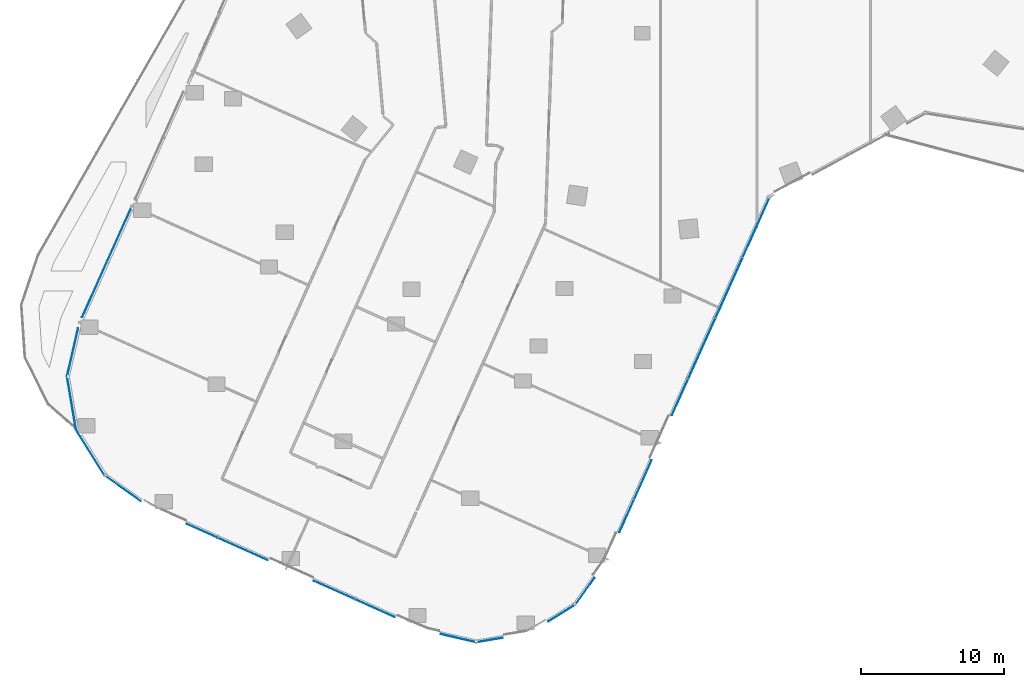
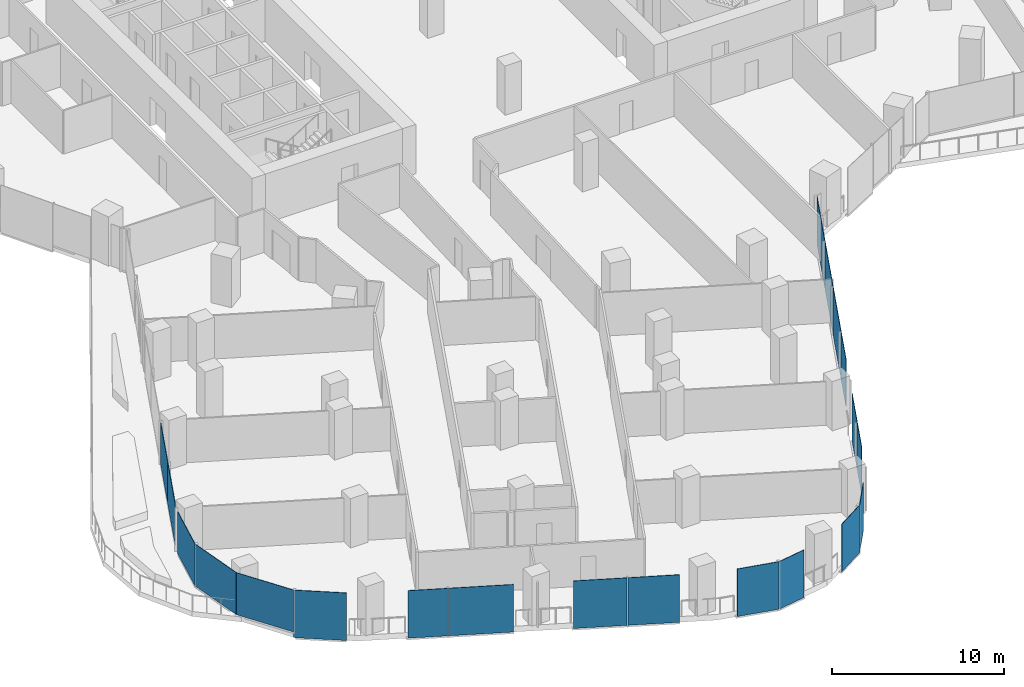
# One storey, part 15 of 32: 20 plates, 11 elements without a shape of their own.
"""IFC4 building model written with IfcOpenShell, lengths in metres."""

import ifcopenshell
import ifcopenshell.guid

model = None  # the IFC model being written
_history = None  # IfcOwnerHistory: only IFC2X3 demands one
_inside = {}  # id of a spatial element -> (the spatial element, [elements in it])
_under = {}  # id of a project, library or spatial element -> (it, [spatial elements below it])
_declared = {}  # id of a project -> (the project, [libraries it declares])
_typed = {}  # id of a type object -> (the type object, [elements of that type])
_made_of = {}  # id of a material, layer set ... -> (it, [elements and type objects made of it])


def new_model(schema):
    """Start an empty IFC model of exactly this schema.

    Asked for "IFC4X3", IfcOpenShell would pick the latest addendum, in which some entities
    have other attributes; the version numbers below select the first issue.
    IFC2X3 requires an IfcOwnerHistory on every rooted entity: one is made here for all.
    """
    global model, _history
    if schema == "IFC4X3":
        model = ifcopenshell.file(schema_version=(4, 3, 0, 0))
    else:
        model = ifcopenshell.file(schema=schema)
    _inside.clear()
    _under.clear()
    _declared.clear()
    _typed.clear()
    _made_of.clear()
    _history = None
    if model.schema == "IFC2X3":
        org = make("IfcOrganization", Name="unknown")
        user = make(
            "IfcPersonAndOrganization",
            ThePerson=make("IfcPerson", FamilyName="unknown"),
            TheOrganization=org,
        )
        app = make(
            "IfcApplication",
            ApplicationDeveloper=org,
            Version="unknown",
            ApplicationFullName="unknown",
            ApplicationIdentifier="unknown",
        )
        _history = make(
            "IfcOwnerHistory",
            OwningUser=user,
            OwningApplication=app,
            ChangeAction="ADDED",
            CreationDate=0,
        )
    return model


def make(cls, **values):
    """One entity of the class cls with the attributes given. An attribute that is None is left unset."""
    return model.create_entity(
        cls, **{name: value for name, value in values.items() if value is not None}
    )


def rooted(cls, **values):
    """An entity with a GlobalId (a new one), such as an element, a storey or a relation."""
    return make(cls, GlobalId=ifcopenshell.guid.new(), OwnerHistory=_history, **values)


def si_unit(unit_type, name, prefix=None):
    """IfcSIUnit, for example si_unit("LENGTHUNIT", "METRE", prefix="MILLI")."""
    return make("IfcSIUnit", UnitType=unit_type, Prefix=prefix, Name=name)


def assignment(units):
    """IfcUnitAssignment: the units of a project."""
    return None if units is None else make("IfcUnitAssignment", Units=units)


def point(xyz):
    """IfcCartesianPoint."""
    return None if xyz is None else make("IfcCartesianPoint", Coordinates=xyz)


def direction(xyz):
    """IfcDirection."""
    return None if xyz is None else make("IfcDirection", DirectionRatios=xyz)


def frame(location, z_axis=None, x_axis=None):
    """IfcAxis2Placement3D, a coordinate frame: its origin and axes. An axis left out is left unset."""
    return make(
        "IfcAxis2Placement3D",
        Location=point(location),
        Axis=direction(z_axis),
        RefDirection=direction(x_axis),
    )


def frame_2d(location, x_axis=None):
    """IfcAxis2Placement2D, a coordinate frame in the plane: its origin and x axis."""
    return make(
        "IfcAxis2Placement2D", Location=point(location), RefDirection=direction(x_axis)
    )


def origin():
    """The frame at (0, 0, 0) with its axes left unset."""
    return frame((0.0, 0.0, 0.0))


def origin_2d():
    """The frame at (0, 0) in the plane with its x axis left unset."""
    return frame_2d((0.0, 0.0))


def place(relative_to, where):
    """IfcLocalPlacement: puts the frame where relative to a parent placement (None: the world)."""
    return make(
        "IfcLocalPlacement", PlacementRelTo=relative_to, RelativePlacement=where
    )


def context(
    kind, dimensions, precision=None, world=None, true_north=None, identifier=None
):
    """IfcGeometricRepresentationContext, for example the 3D "Model" context."""
    return make(
        "IfcGeometricRepresentationContext",
        ContextIdentifier=identifier,
        ContextType=kind,
        CoordinateSpaceDimension=dimensions,
        Precision=precision,
        WorldCoordinateSystem=world,
        TrueNorth=true_north,
    )


def subcontext(parent, identifier, kind, view, scale=None):
    """IfcGeometricRepresentationSubContext, for example "Body" below "Model"."""
    return make(
        "IfcGeometricRepresentationSubContext",
        ContextIdentifier=identifier,
        ContextType=kind,
        ParentContext=parent,
        TargetScale=scale,
        TargetView=view,
    )


def project(units=None, contexts=None):
    """IfcProject with its units and contexts."""
    return rooted(
        "IfcProject",
        Name="project",
        RepresentationContexts=contexts,
        UnitsInContext=assignment(units),
    )


def spatial(cls, under=None, at=None, **own):
    """A site, building, storey or space (cls), placed at a placement, below another one or the project."""
    s = rooted(cls, ObjectPlacement=at, **own)
    if under is not None:
        _under.setdefault(under.id(), (under, []))[1].append(s)
    return s


def profile(cls, at=None, kind="AREA", **sizes):
    """A parametric profile (cls). Its sizes go by their IFC names, for example OverallWidth=200.0."""
    return make(cls, ProfileType=kind, Position=at, **sizes)


def rectangle(**sizes):
    """IfcRectangleProfileDef."""
    return profile("IfcRectangleProfileDef", **sizes)


def extrude(swept, where, along, depth):
    """IfcExtrudedAreaSolid: the profile swept, set in the frame where, extruded along a direction by depth."""
    return make(
        "IfcExtrudedAreaSolid",
        SweptArea=swept,
        Position=where,
        ExtrudedDirection=direction(along),
        Depth=depth,
    )


def shape(context_of_items, identifier, shape_type, items):
    """IfcShapeRepresentation: the items that make up one representation, for example the "Body"."""
    return make(
        "IfcShapeRepresentation",
        ContextOfItems=context_of_items,
        RepresentationIdentifier=identifier,
        RepresentationType=shape_type,
        Items=items,
    )


def material(Name=None, Category=None):
    """IfcMaterial."""
    return make("IfcMaterial", Name=Name, Category=Category)


def layer(
    of_material, thickness, ventilated=None, Name=None, Category=None, Priority=None
):
    """IfcMaterialLayer: one layer of a wall or slab, of a material (None: an air gap)."""
    return make(
        "IfcMaterialLayer",
        Material=of_material,
        LayerThickness=thickness,
        IsVentilated=ventilated,
        Name=Name,
        Category=Category,
        Priority=Priority,
    )


def layer_set(layers, Name=None):
    """IfcMaterialLayerSet."""
    return make("IfcMaterialLayerSet", MaterialLayers=layers, LayerSetName=Name)


def made_of(thing, what):
    """Note that an element or type object is made of a material, layer set ...; save() writes the relation."""
    if what is not None:
        _made_of.setdefault(what.id(), (what, []))[1].append(thing)
    return thing


def type_object(cls, material=None, **own):
    """A type object (cls), such as IfcWallType, which elements share."""
    return made_of(rooted(cls, **own), material)


def element(
    cls,
    number,
    at=None,
    inside=None,
    cuts=None,
    type_object=None,
    material=None,
    context=None,
    identifier="Body",
    shape_type=None,
    held_by="IfcProductDefinitionShape",
    body=None,
    shapes=None,
    **own,
):
    """One element of the class cls, such as IfcWall. Its Tag is "e" and its number.

    at: its placement. inside: the storey or other place that contains it. cuts: it is an
    opening in that element (IfcRelVoidsElement). A single representation is given by context,
    identifier, shape_type and body (its items); several are given by shapes. held_by: the class
    of the entity that holds the representations. save() writes the other relations.
    """
    e = rooted(cls, Tag="e%d" % number, ObjectPlacement=at, **own)
    if body is not None:
        shapes = [shape(context, identifier, shape_type, body)]
    if shapes is not None:
        e.Representation = make(held_by, Representations=shapes)
    if inside is not None:
        _inside.setdefault(inside.id(), (inside, []))[1].append(e)
    if cuts is not None:
        rooted(
            "IfcRelVoidsElement", RelatingBuildingElement=cuts, RelatedOpeningElement=e
        )
    if type_object is not None:
        _typed.setdefault(type_object.id(), (type_object, []))[1].append(e)
    return made_of(e, material)


def aggregate(whole, parts):
    """IfcRelAggregates: a whole, such as a stair, and the parts it consists of."""
    return rooted("IfcRelAggregates", RelatingObject=whole, RelatedObjects=parts)


def save(model, path):
    """Write the relations noted so far, then the file.

    IfcRelAggregates (storeys below a building ...), IfcRelContainedInSpatialStructure (elements
    in a storey), IfcRelDefinesByType, IfcRelAssociatesMaterial and IfcRelDeclares: one each for
    every whole, place, type object, material and project.
    """
    for whole, parts in _under.values():
        aggregate(whole, parts)
    for where, things in _inside.values():
        rooted(
            "IfcRelContainedInSpatialStructure",
            RelatedElements=things,
            RelatingStructure=where,
        )
    for kind, things in _typed.values():
        rooted("IfcRelDefinesByType", RelatedObjects=things, RelatingType=kind)
    for what, things in _made_of.values():
        rooted("IfcRelAssociatesMaterial", RelatedObjects=things, RelatingMaterial=what)
    for by, libraries in _declared.values():
        rooted("IfcRelDeclares", RelatingContext=by, RelatedDefinitions=libraries)
    model.write(path)


model = new_model("IFC4")

# Units and contexts
model_context = context("Model", 3, precision=1e-05, world=origin(), true_north=direction((0.0, 1.0)))
body_context = subcontext(model_context, "Body", "Model", "MODEL_VIEW")
ifc_project = project(units=[si_unit("LENGTHUNIT", "METRE"), si_unit("AREAUNIT", "SQUARE_METRE"), si_unit("VOLUMEUNIT", "CUBIC_METRE"), si_unit("PLANEANGLEUNIT", "RADIAN"), si_unit("MASSUNIT", "GRAM", prefix="KILO")], contexts=[model_context])

# Site, building, storey
site_placement = place(None, origin())
site = spatial("IfcSite", under=ifc_project, at=site_placement, CompositionType="ELEMENT")
building_placement = place(site_placement, origin())
building = spatial("IfcBuilding", under=site, at=building_placement, Name="Orlundy Tower", CompositionType="ELEMENT")
storey_placement = place(building_placement, frame((0.0, 0.0, 123.699951171875)))
storey = spatial("IfcBuildingStorey", under=building, at=storey_placement, Name="L31", CompositionType="ELEMENT", Elevation=123.699951171875)

# Curtain wall, plates
ifc_material_1 = material(Name="Aluminium bronze anodised", Category="aluminium")
curtain_wall_type = type_object("IfcCurtainWallType", Name="CW1 wall", PredefinedType="NOTDEFINED", material=ifc_material_1)
curtain_wall_1_placement = place(storey_placement, origin())
curtain_wall_1 = element("IfcCurtainWall", 1, at=curtain_wall_1_placement, inside=storey, type_object=curtain_wall_type, Name="CW1 run 00", PredefinedType="NOTDEFINED")
ifc_material_2 = material(Name="Tinted glass", Category="glass")
ifc_layer = layer(ifc_material_2, 0.031982421875)
ifc_layer_set = layer_set([ifc_layer], Name="CW1 glass panel 32")
plate_type = type_object("IfcPlateType", Name="CW1 glass panel 32", PredefinedType="CURTAIN_PANEL", material=ifc_layer_set)
plate_1_placement = place(storey_placement, frame((-38.206787109375, -35.89306640625, 0.1201171875), z_axis=(0.0, 0.0, 1.0), x_axis=(0.409404071174, 0.912353169834, 0.0)))
plate_1 = element("IfcPlate", 2, at=plate_1_placement, type_object=plate_type, Name="CW1 panel", PredefinedType="CURTAIN_PANEL", context=body_context, shape_type="SweptSolid", body=[
    extrude(rectangle(XDim=4.239501953125, YDim=0.031982421875, at=origin_2d()), origin(), (0.0, 0.0, 1.0), 2.97998046875),
])
plate_2_placement = place(storey_placement, frame((-36.499755859375, -32.0888671875, 0.1201171875), z_axis=(0.0, 0.0, 1.0), x_axis=(0.409404071174, 0.912353169834, 0.0)))
plate_2 = element("IfcPlate", 3, at=plate_2_placement, type_object=plate_type, Name="CW1 panel", PredefinedType="CURTAIN_PANEL", context=body_context, shape_type="SweptSolid", body=[
    extrude(rectangle(XDim=3.999755859375, YDim=0.031982421875, at=origin_2d()), origin(), (0.0, 0.0, 1.0), 2.97998046875),
])
aggregate(curtain_wall_1, [plate_1, plate_2])

curtain_wall_2_placement = place(storey_placement, origin())
curtain_wall_2 = element("IfcCurtainWall", 4, at=curtain_wall_2_placement, inside=storey, type_object=curtain_wall_type, Name="CW1 run 018", PredefinedType="NOTDEFINED")
plate_3_placement = place(storey_placement, frame((7.9384765625, -31.5625, -0.27978515625), z_axis=(0.0, 0.0, 1.0), x_axis=(-0.409405171428, -0.912352676112, 0.0)))
plate_3 = element("IfcPlate", 5, at=plate_3_placement, type_object=plate_type, Name="CW1 panel", PredefinedType="CURTAIN_PANEL", context=body_context, shape_type="SweptSolid", body=[
    extrude(rectangle(XDim=4.550048828125, YDim=0.031982421875, at=origin_2d()), origin(), (0.0, 0.0, 1.0), 3.3798828125),
])
plate_4_placement = place(storey_placement, frame((6.048828125, -35.7734375, -0.27978515625), z_axis=(0.0, 0.0, 1.0), x_axis=(-0.409405171428, -0.912352676112, 0.0)))
plate_4 = element("IfcPlate", 6, at=plate_4_placement, type_object=plate_type, Name="CW1 panel", PredefinedType="CURTAIN_PANEL", context=body_context, shape_type="SweptSolid", body=[
    extrude(rectangle(XDim=4.580810546875, YDim=0.031982421875, at=origin_2d()), origin(), (0.0, 0.0, 1.0), 3.3798828125),
])
plate_5_placement = place(storey_placement, frame((4.153076171875, -39.998291015625, -0.27978515625), z_axis=(0.0, 0.0, 1.0), x_axis=(-0.409405171428, -0.912352676112, 0.0)))
plate_5 = element("IfcPlate", 7, at=plate_5_placement, type_object=plate_type, Name="CW1 panel", PredefinedType="CURTAIN_PANEL", context=body_context, shape_type="SweptSolid", body=[
    extrude(rectangle(XDim=4.580810546875, YDim=0.031982421875, at=origin_2d()), origin(), (0.0, 0.0, 1.0), 3.3798828125),
])
plate_6_placement = place(storey_placement, frame((2.628173828125, -43.396484375, -0.27978515625), z_axis=(0.0, 0.0, 1.0), x_axis=(-0.409405171428, -0.912352676112, 0.0)))
plate_6 = element("IfcPlate", 8, at=plate_6_placement, type_object=plate_type, Name="CW1 panel", PredefinedType="CURTAIN_PANEL", context=body_context, shape_type="SweptSolid", body=[
    extrude(rectangle(XDim=2.7685546875, YDim=0.031982421875, at=origin_2d()), origin(), (0.0, 0.0, 1.0), 3.3798828125),
])
plate_7_placement = place(storey_placement, frame((0.037353515625, -49.169921875, -0.27978515625), z_axis=(0.0, 0.0, 1.0), x_axis=(-0.409405171428, -0.912352676112, 0.0)))
plate_7 = element("IfcPlate", 9, at=plate_7_placement, type_object=plate_type, Name="CW1 panel", PredefinedType="CURTAIN_PANEL", context=body_context, shape_type="SweptSolid", body=[
    extrude(rectangle(XDim=2.99755859375, YDim=0.031982421875, at=origin_2d()), origin(), (0.0, 0.0, 1.0), 3.3798828125),
])
plate_8_placement = place(storey_placement, frame((-1.09912109375, -51.70263671875, -0.27978515625), z_axis=(0.0, 0.0, 1.0), x_axis=(-0.409405171428, -0.912352676112, 0.0)))
plate_8 = element("IfcPlate", 10, at=plate_8_placement, type_object=plate_type, Name="CW1 panel", PredefinedType="CURTAIN_PANEL", context=body_context, shape_type="SweptSolid", body=[
    extrude(rectangle(XDim=2.4541015625, YDim=0.031982421875, at=origin_2d()), origin(), (0.0, 0.0, 1.0), 3.3798828125),
])
aggregate(curtain_wall_2, [plate_3, plate_4, plate_5, plate_6, plate_7, plate_8])

# Curtain wall, plate
curtain_wall_3_placement = place(storey_placement, origin())
curtain_wall_3 = element("IfcCurtainWall", 11, at=curtain_wall_3_placement, inside=storey, type_object=curtain_wall_type, Name="CW1 run 019", PredefinedType="NOTDEFINED")
plate_9_placement = place(storey_placement, frame((-4.00439453125, -56.93115234375, -0.27978515625), z_axis=(0.0, 0.0, 1.0), x_axis=(-0.579476006313, -0.814989299383, 0.0)))
plate_9 = element("IfcPlate", 12, at=plate_9_placement, type_object=plate_type, Name="CW1 panel", PredefinedType="CURTAIN_PANEL", context=body_context, shape_type="SweptSolid", body=[
    extrude(rectangle(XDim=2.28076171875, YDim=0.031982421875, at=origin_2d()), origin(), (0.0, 0.0, 1.0), 3.3798828125),
])
aggregate(curtain_wall_3, [plate_9])

curtain_wall_4_placement = place(storey_placement, origin())
curtain_wall_4 = element("IfcCurtainWall", 13, at=curtain_wall_4_placement, inside=storey, type_object=curtain_wall_type, Name="CW1 run 020", PredefinedType="NOTDEFINED")
plate_10_placement = place(storey_placement, frame((-5.600341796875, -58.44677734375, -0.27978515625), z_axis=(0.0, 0.0, 1.0), x_axis=(-0.847285276564, -0.531138080086, 0.0)))
plate_10 = element("IfcPlate", 14, at=plate_10_placement, type_object=plate_type, Name="CW1 panel", PredefinedType="CURTAIN_PANEL", context=body_context, shape_type="SweptSolid", body=[
    extrude(rectangle(XDim=2.20703125, YDim=0.031982421875, at=origin_2d()), origin(), (0.0, 0.0, 1.0), 3.3798828125),
])
aggregate(curtain_wall_4, [plate_10])

curtain_wall_5_placement = place(storey_placement, origin())
curtain_wall_5 = element("IfcCurtainWall", 15, at=curtain_wall_5_placement, inside=storey, type_object=curtain_wall_type, Name="CW1 run 021", PredefinedType="NOTDEFINED")
plate_11_placement = place(storey_placement, frame((-10.65673828125, -60.336181640625, -0.27978515625), z_axis=(0.0, 0.0, 1.0), x_axis=(-0.986049086137, -0.166454797856, 0.0)))
plate_11 = element("IfcPlate", 16, at=plate_11_placement, type_object=plate_type, Name="CW1 panel", PredefinedType="CURTAIN_PANEL", context=body_context, shape_type="SweptSolid", body=[
    extrude(rectangle(XDim=1.874267578125, YDim=0.031982421875, at=origin_2d()), origin(), (0.0, 0.0, 1.0), 3.3798828125),
])
aggregate(curtain_wall_5, [plate_11])

curtain_wall_6_placement = place(storey_placement, origin())
curtain_wall_6 = element("IfcCurtainWall", 17, at=curtain_wall_6_placement, inside=storey, type_object=curtain_wall_type, Name="CW1 run 022", PredefinedType="NOTDEFINED")
plate_12_placement = place(storey_placement, frame((-12.825927734375, -60.206298828125, -0.27978515625), z_axis=(0.0, 0.0, 1.0), x_axis=(-0.974658825104, 0.223696612955, 0.0)))
plate_12 = element("IfcPlate", 18, at=plate_12_placement, type_object=plate_type, Name="CW1 panel", PredefinedType="CURTAIN_PANEL", context=body_context, shape_type="SweptSolid", body=[
    extrude(rectangle(XDim=2.5546875, YDim=0.031982421875, at=origin_2d()), origin(), (0.0, 0.0, 1.0), 3.3798828125),
])
aggregate(curtain_wall_6, [plate_12])

# Curtain wall, plates
curtain_wall_7_placement = place(storey_placement, origin())
curtain_wall_7 = element("IfcCurtainWall", 19, at=curtain_wall_7_placement, inside=storey, type_object=curtain_wall_type, Name="CW1 run 023", PredefinedType="NOTDEFINED")
plate_13_placement = place(storey_placement, frame((-18.648681640625, -58.123046875, -0.27978515625), z_axis=(0.0, 0.0, 1.0), x_axis=(-0.912366461182, 0.409374450241, 0.0)))
plate_13 = element("IfcPlate", 20, at=plate_13_placement, type_object=plate_type, Name="CW1 panel", PredefinedType="CURTAIN_PANEL", context=body_context, shape_type="SweptSolid", body=[
    extrude(rectangle(XDim=3.01123046875, YDim=0.031982421875, at=origin_2d()), origin(), (0.0, 0.0, 1.0), 3.3798828125),
])
plate_14_placement = place(storey_placement, frame((-21.493896484375, -56.846435546875, -0.27978515625), z_axis=(0.0, 0.0, 1.0), x_axis=(-0.912366461182, 0.409374450241, 0.0)))
plate_14 = element("IfcPlate", 21, at=plate_14_placement, type_object=plate_type, Name="CW1 panel", PredefinedType="CURTAIN_PANEL", context=body_context, shape_type="SweptSolid", body=[
    extrude(rectangle(XDim=3.125732421875, YDim=0.031982421875, at=origin_2d()), origin(), (0.0, 0.0, 1.0), 3.3798828125),
])
plate_15_placement = place(storey_placement, frame((-27.8642578125, -53.988037109375, -0.27978515625), z_axis=(0.0, 0.0, 1.0), x_axis=(-0.912366461182, 0.409374450241, 0.0)))
plate_15 = element("IfcPlate", 22, at=plate_15_placement, type_object=plate_type, Name="CW1 panel", PredefinedType="CURTAIN_PANEL", context=body_context, shape_type="SweptSolid", body=[
    extrude(rectangle(XDim=3.81005859375, YDim=0.031982421875, at=origin_2d()), origin(), (0.0, 0.0, 1.0), 3.3798828125),
])
plate_16_placement = place(storey_placement, frame((-30.706787109375, -52.712646484375, -0.27978515625), z_axis=(0.0, 0.0, 1.0), x_axis=(-0.912366461182, 0.409374450241, 0.0)))
plate_16 = element("IfcPlate", 23, at=plate_16_placement, type_object=plate_type, Name="CW1 panel", PredefinedType="CURTAIN_PANEL", context=body_context, shape_type="SweptSolid", body=[
    extrude(rectangle(XDim=2.321044921875, YDim=0.031982421875, at=origin_2d()), origin(), (0.0, 0.0, 1.0), 3.3798828125),
])
aggregate(curtain_wall_7, [plate_13, plate_14, plate_15, plate_16])

# Curtain wall, plate
curtain_wall_8_placement = place(storey_placement, origin())
curtain_wall_8 = element("IfcCurtainWall", 24, at=curtain_wall_8_placement, inside=storey, type_object=curtain_wall_type, Name="CW1 run 024", PredefinedType="NOTDEFINED")
plate_17_placement = place(storey_placement, frame((-36.234375, -49.7587890625, -0.27978515625), z_axis=(0.0, 0.0, 1.0), x_axis=(-0.814989299383, 0.579476006313, 0.0)))
plate_17 = element("IfcPlate", 25, at=plate_17_placement, type_object=plate_type, Name="CW1 panel", PredefinedType="CURTAIN_PANEL", context=body_context, shape_type="SweptSolid", body=[
    extrude(rectangle(XDim=3.08251953125, YDim=0.031982421875, at=origin_2d()), origin(), (0.0, 0.0, 1.0), 3.3798828125),
])
aggregate(curtain_wall_8, [plate_17])

curtain_wall_9_placement = place(storey_placement, origin())
curtain_wall_9 = element("IfcCurtainWall", 26, at=curtain_wall_9_placement, inside=storey, type_object=curtain_wall_type, Name="CW1 run 025", PredefinedType="NOTDEFINED")
plate_18_placement = place(storey_placement, frame((-38.492431640625, -47.267578125, 0.1201171875), z_axis=(0.0, 0.0, 1.0), x_axis=(-0.531138080086, 0.847285276564, 0.0)))
plate_18 = element("IfcPlate", 27, at=plate_18_placement, type_object=plate_type, Name="CW1 panel", PredefinedType="CURTAIN_PANEL", context=body_context, shape_type="SweptSolid", body=[
    extrude(rectangle(XDim=3.7724609375, YDim=0.031982421875, at=origin_2d()), origin(), (0.0, 0.0, 1.0), 2.97998046875),
])
aggregate(curtain_wall_9, [plate_18])

curtain_wall_10_placement = place(storey_placement, origin())
curtain_wall_10 = element("IfcCurtainWall", 28, at=curtain_wall_10_placement, inside=storey, type_object=curtain_wall_type, Name="CW1 run 026", PredefinedType="NOTDEFINED")
plate_19_placement = place(storey_placement, frame((-39.80810546875, -43.809814453125, 0.1201171875), z_axis=(0.0, 0.0, 1.0), x_axis=(-0.166454797856, 0.986049086137, 0.0)))
plate_19 = element("IfcPlate", 29, at=plate_19_placement, type_object=plate_type, Name="CW1 panel", PredefinedType="CURTAIN_PANEL", context=body_context, shape_type="SweptSolid", body=[
    extrude(rectangle(XDim=3.77197265625, YDim=0.031982421875, at=origin_2d()), origin(), (0.0, 0.0, 1.0), 2.97998046875),
])
aggregate(curtain_wall_10, [plate_19])

curtain_wall_11_placement = place(storey_placement, origin())
curtain_wall_11 = element("IfcCurtainWall", 30, at=curtain_wall_11_placement, inside=storey, type_object=curtain_wall_type, Name="CW1 run 027", PredefinedType="NOTDEFINED")
plate_20_placement = place(storey_placement, frame((-39.736572265625, -40.269775390625, 0.1201171875), z_axis=(0.0, 0.0, 1.0), x_axis=(0.223637795584, 0.974672322571, 0.0)))
plate_20 = element("IfcPlate", 31, at=plate_20_placement, type_object=plate_type, Name="CW1 panel", PredefinedType="CURTAIN_PANEL", context=body_context, shape_type="SweptSolid", body=[
    extrude(rectangle(XDim=3.4482421875, YDim=0.031982421875, at=origin_2d()), origin(), (0.0, 0.0, 1.0), 2.97998046875),
])
aggregate(curtain_wall_11, [plate_20])

save(model, "model.ifc")
